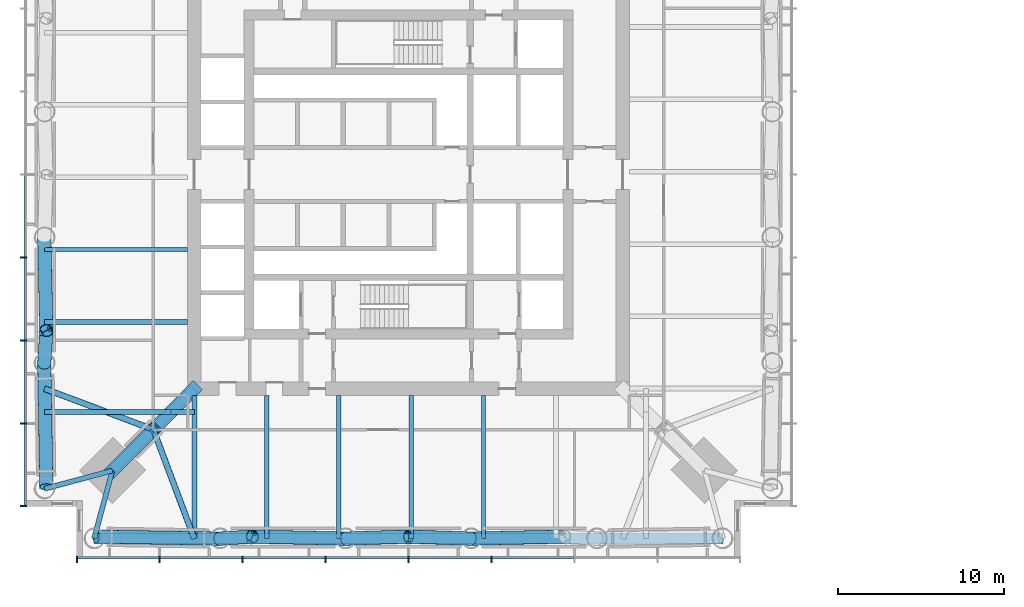
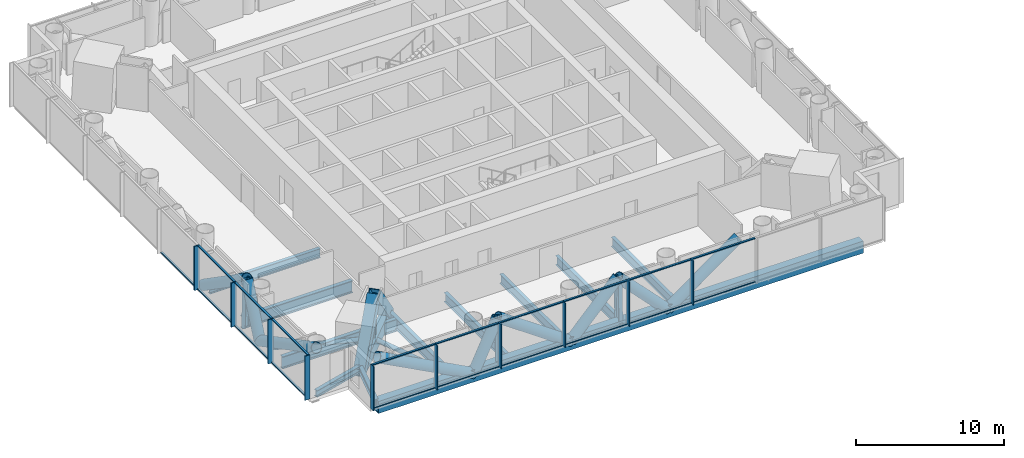
# One storey, part 2 of 18: 48 members, 11 beams, 2 elements without a shape of their own.
"""IFC4 building model written with IfcOpenShell, lengths in metres."""

from ifc_helpers import new_model, si_unit, direction, frame, origin, origin_2d, place, context, subcontext, project, spatial, rectangle, hollow_rectangle, hollow_circle, i_section, extrude, material, material_profile, profile_set, type_object, element, aggregate, save


model = new_model("IFC4")

# Units and contexts
model_context = context("Model", 3, precision=1e-05, world=origin(), true_north=direction((0.0, 1.0)))
body_context = subcontext(model_context, "Body", "Model", "MODEL_VIEW")
ifc_project = project(units=[si_unit("LENGTHUNIT", "METRE"), si_unit("AREAUNIT", "SQUARE_METRE"), si_unit("VOLUMEUNIT", "CUBIC_METRE"), si_unit("PLANEANGLEUNIT", "RADIAN"), si_unit("MASSUNIT", "GRAM", prefix="KILO")], contexts=[model_context])

# Site, building, storey
site_placement = place(None, origin())
site = spatial("IfcSite", under=ifc_project, at=site_placement, CompositionType="ELEMENT")
building_placement = place(site_placement, origin())
building = spatial("IfcBuilding", under=site, at=building_placement, Name="Ostroluk Exchange", CompositionType="ELEMENT")
storey_placement = place(building_placement, frame((0.0, 0.0, 85.60009765625)))
storey = spatial("IfcBuildingStorey", under=building, at=storey_placement, Name="L21", CompositionType="ELEMENT", Elevation=85.60009765625)

# Members
ifc_material_1 = material(Name="Steel S460", Category="steel")
ifc_material_profile_1 = material_profile(ifc_material_1, hollow_rectangle(XDim=0.60009765625, YDim=1.0, WallThickness=0.06005859375, at=origin_2d()), Name="BOX 600x1000x60")
ifc_profile_set_1 = profile_set([ifc_material_profile_1], Name="Steel S460")
member_type_1 = type_object("IfcMemberType", Name="Belt truss chord BOX 600x1000x60", PredefinedType="CHORD", material=ifc_profile_set_1)
member_1_placement = place(storey_placement, frame((26.064208984375, 24.064208984375, -0.780029296875), z_axis=(1.0, 0.0, 0.0), x_axis=(0.0, 1.0, 0.0)))
element("IfcMember", 1, at=member_1_placement, inside=storey, type_object=member_type_1, Name="Belt truss 1 south chord 2", PredefinedType="CHORD", context=body_context, shape_type="SweptSolid", body=[
    extrude(hollow_rectangle(XDim=0.60009765625, YDim=1.0, WallThickness=0.06005859375, at=origin_2d()), origin(), (0.0, 0.0, 1.0), 37.87158203125),
])
ifc_material_2 = material(Name="Steel S460", Category="steel")
ifc_material_profile_2 = material_profile(ifc_material_2, hollow_circle(Radius=0.406494140625, WallThickness=0.030029296875, at=origin_2d()), Name="CHS 813x30")
ifc_profile_set_2 = profile_set([ifc_material_profile_2], Name="Steel S460")
member_type_2 = type_object("IfcMemberType", Name="Belt truss diagonal CHS 813x30", PredefinedType="BRACE", material=ifc_profile_set_2)
member_2_placement = place(storey_placement, frame((23.064208984375, 42.212890625, -0.780029296875), z_axis=(0.017800204783, -0.822812678906, 0.568033844187), x_axis=(0.999766080921, 0.021628301837, 0.0)))
element("IfcMember", 2, at=member_2_placement, inside=storey, type_object=member_type_2, Name="Belt truss 1 west diagonal 2.6", PredefinedType="BRACE", context=body_context, shape_type="SweptSolid", body=[
    extrude(hollow_circle(Radius=0.406494140625, WallThickness=0.030029296875, at=origin_2d()), origin(), (0.0, 0.0, 1.0), 6.830322265625),
])
member_3_placement = place(storey_placement, frame((23.064208984375, 34.638671875, -0.780029296875), z_axis=(0.027976305897, 0.449643277912, 0.892769986579), x_axis=(-0.998070006554, 0.062098808504, 0.0)))
element("IfcMember", 3, at=member_3_placement, inside=storey, type_object=member_type_2, Name="Belt truss 1 west diagonal 2.7", PredefinedType="BRACE", context=body_context, shape_type="SweptSolid", body=[
    extrude(hollow_circle(Radius=0.406494140625, WallThickness=0.030029296875, at=origin_2d()), origin(), (0.0, 0.0, 1.0), 4.345947265625),
])
for number, where, z_axis, x_axis, name in (
    (4, (23.064208984375, 34.638671875, -0.780029296875), (0.014468546103, -0.886910254783, 0.461715129853), (0.999866962595, 0.016311257162, 0.0), "Belt truss 1 west diagonal 2.8"),
    (5, (33.638671875, 24.064208984375, -0.780029296875), (-0.886910254783, 0.014468546103, 0.461715129853), (-0.016311257162, -0.999866962595, 0.0), "Belt truss 1 south diagonal 2.1"),
):
    element("IfcMember", number, at=place(storey_placement, frame(where, z_axis=z_axis, x_axis=x_axis)), inside=storey, type_object=member_type_2, Name=name, PredefinedType="BRACE", context=body_context, shape_type="SweptSolid", body=[
        extrude(hollow_circle(Radius=0.406494140625, WallThickness=0.030029296875, at=origin_2d()), origin(), (0.0, 0.0, 1.0), 8.403076171875),
    ])
member_4_placement = place(storey_placement, frame((33.638671875, 24.064208984375, -0.780029296875), z_axis=(0.449643277912, 0.027976305897, 0.892769986579), x_axis=(-0.062098808504, 0.998070006554, 0.0)))
element("IfcMember", 6, at=member_4_placement, inside=storey, type_object=member_type_2, Name="Belt truss 1 south diagonal 2.2", PredefinedType="BRACE", context=body_context, shape_type="SweptSolid", body=[
    extrude(hollow_circle(Radius=0.406494140625, WallThickness=0.030029296875, at=origin_2d()), origin(), (0.0, 0.0, 1.0), 4.345947265625),
])
member_5_placement = place(storey_placement, frame((41.212890625, 24.064208984375, -0.780029296875), z_axis=(-0.822812678906, 0.017800204783, 0.568033844187), x_axis=(-0.021628301837, -0.999766080921, 0.0)))
element("IfcMember", 7, at=member_5_placement, inside=storey, type_object=member_type_2, Name="Belt truss 1 south diagonal 2.3", PredefinedType="BRACE", context=body_context, shape_type="SweptSolid", body=[
    extrude(hollow_circle(Radius=0.406494140625, WallThickness=0.030029296875, at=origin_2d()), origin(), (0.0, 0.0, 1.0), 6.830322265625),
])
for number, where, z_axis, x_axis, name in (
    (8, (41.212890625, 24.064208984375, -0.780029296875), (0.69832383229, 0.022419112202, 0.715430785376), (-0.032087645651, 0.999485058916, 0.0), "Belt truss 1 south diagonal 2.4"),
    (9, (48.787109375, 24.064208984375, -0.780029296875), (-0.69832383229, 0.022419112202, 0.715430785376), (-0.032087645651, -0.999485058916, 0.0), "Belt truss 1 south diagonal 2.5"),
):
    element("IfcMember", number, at=place(storey_placement, frame(where, z_axis=z_axis, x_axis=x_axis)), inside=storey, type_object=member_type_2, Name=name, PredefinedType="BRACE", context=body_context, shape_type="SweptSolid", body=[
        extrude(hollow_circle(Radius=0.406494140625, WallThickness=0.030029296875, at=origin_2d()), origin(), (0.0, 0.0, 1.0), 5.423095703125),
    ])
member_6_placement = place(storey_placement, frame((48.787109375, 24.064208984375, -0.780029296875), z_axis=(0.822812678906, 0.017800204783, 0.568033844187), x_axis=(-0.021628301837, 0.999766080921, 0.0)))
element("IfcMember", 10, at=member_6_placement, inside=storey, type_object=member_type_2, Name="Belt truss 1 south diagonal 2.6", PredefinedType="BRACE", context=body_context, shape_type="SweptSolid", body=[
    extrude(hollow_circle(Radius=0.406494140625, WallThickness=0.030029296875, at=origin_2d()), origin(), (0.0, 0.0, 1.0), 6.830322265625),
])
ifc_material_3 = material(Name="Steel S460", Category="steel")
ifc_material_profile_3 = material_profile(ifc_material_3, i_section(OverallWidth=0.304931640625, OverallDepth=0.6201171875, WebThickness=0.02099609375, FlangeThickness=0.0400390625, FilletRadius=0.027099609375, at=origin_2d()), Name="HEM 600")
ifc_profile_set_3 = profile_set([ifc_material_profile_3], Name="Steel S460")
member_type_3 = type_object("IfcMemberType", Name="Belt truss post HEM 600", PredefinedType="POST", material=ifc_profile_set_3)
for number, where, z_axis, x_axis, name in (
    (11, (23.064208984375, 36.5322265625, -0.780029296875), (0.031317337633, 0.015595782596, 0.999387810576), (-0.445775033553, 0.895145027055, 0.0), "Belt truss 1 west post 2.6"),
    (12, (35.5322265625, 24.064208984375, -0.780029296875), (0.015595782596, 0.031317337633, 0.999387810576), (-0.895145027055, 0.445775033553, 0.0), "Belt truss 1 south post 2.2"),
):
    element("IfcMember", number, at=place(storey_placement, frame(where, z_axis=z_axis, x_axis=x_axis)), inside=storey, type_object=member_type_3, Name=name, PredefinedType="POST", context=body_context, shape_type="SweptSolid", body=[
        extrude(i_section(OverallWidth=0.304931640625, OverallDepth=0.6201171875, WebThickness=0.02099609375, FlangeThickness=0.0400390625, FilletRadius=0.027099609375, at=origin_2d()), origin(), (0.0, 0.0, 1.0), 3.88232421875),
    ])
member_7_placement = place(storey_placement, frame((45.0, 24.064208984375, -0.780029296875), z_axis=(0.0, 0.031321146962, 0.999509372519), x_axis=(-1.0, 0.0, 0.0)))
element("IfcMember", 13, at=member_7_placement, inside=storey, type_object=member_type_3, Name="Belt truss 1 south post 2.4", PredefinedType="POST", context=body_context, shape_type="SweptSolid", body=[
    extrude(i_section(OverallWidth=0.304931640625, OverallDepth=0.6201171875, WebThickness=0.02099609375, FlangeThickness=0.0400390625, FilletRadius=0.027099609375, at=origin_2d()), origin(), (0.0, 0.0, 1.0), 3.8818359375),
])

# Beams
ifc_material_4 = material(Name="Steel S355", Category="steel")
ifc_material_profile_4 = material_profile(ifc_material_4, i_section(OverallWidth=0.300048828125, OverallDepth=0.550048828125, WebThickness=0.014892578125, FlangeThickness=0.029052734375, FilletRadius=0.027099609375, at=origin_2d()), Name="HEB 550")
ifc_profile_set_4 = profile_set([ifc_material_profile_4], Name="Steel S355")
beam_type_1 = type_object("IfcBeamType", Name="Corner edge beam HEB 550", PredefinedType="SPANDREL", material=ifc_profile_set_4)
for number, where, z_axis, x_axis, name in (
    (14, (27.164306640625, 28.164306640625, -0.55517578125), (-0.965838624319, -0.259144268261, 0.0), (0.259144268261, -0.965838624319, 0.0), "T1 west corner edge beam a"),
    (15, (27.164306640625, 28.164306640625, -0.55517578125), (-0.259144268261, -0.965838624319, 0.0), (0.965838624319, -0.259144268261, 0.0), "T1 west corner edge beam b"),
):
    element("IfcBeam", number, at=place(storey_placement, frame(where, z_axis=z_axis, x_axis=x_axis)), inside=storey, type_object=beam_type_1, Name=name, PredefinedType="SPANDREL", context=body_context, shape_type="SweptSolid", body=[
        extrude(i_section(OverallWidth=0.300048828125, OverallDepth=0.550048828125, WebThickness=0.014892578125, FlangeThickness=0.029052734375, FilletRadius=0.027099609375, at=origin_2d()), origin(), (0.0, 0.0, 1.0), 4.2451171875),
    ])
ifc_material_5 = material(Name="Steel S355", Category="steel")
ifc_material_profile_5 = material_profile(ifc_material_5, i_section(OverallWidth=0.302001953125, OverallDepth=1.008056640625, WebThickness=0.02099609375, FlangeThickness=0.0400390625, FilletRadius=0.030029296875, at=origin_2d()), Name="HEM 1000")
ifc_profile_set_5 = profile_set([ifc_material_profile_5], Name="Steel S355")
beam_type_2 = type_object("IfcBeamType", Name="Floor beam HEM 1000", PredefinedType="BEAM", material=ifc_profile_set_5)
beam_1_placement = place(storey_placement, frame((31.699951171875, 37.127685546875, -0.7841796875), z_axis=(-1.0, 0.0, 0.0), x_axis=(0.0, -1.0, 0.0)))
element("IfcBeam", 16, at=beam_1_placement, inside=storey, type_object=beam_type_2, Name="T1 west floor beam 5", PredefinedType="BEAM", context=body_context, shape_type="SweptSolid", body=[
    extrude(i_section(OverallWidth=0.302001953125, OverallDepth=1.008056640625, WebThickness=0.02099609375, FlangeThickness=0.0400390625, FilletRadius=0.030029296875, at=origin_2d()), origin(), (0.0, 0.0, 1.0), 8.6357421875),
])
beam_2_placement = place(storey_placement, frame((32.10009765625, 31.699951171875, -0.7841796875), z_axis=(-1.0, 0.0, 0.0), x_axis=(0.0, -1.0, 0.0)))
element("IfcBeam", 17, at=beam_2_placement, inside=storey, type_object=beam_type_2, Name="T1 west floor beam 6", PredefinedType="BEAM", context=body_context, shape_type="SweptSolid", body=[
    extrude(i_section(OverallWidth=0.302001953125, OverallDepth=1.008056640625, WebThickness=0.02099609375, FlangeThickness=0.0400390625, FilletRadius=0.030029296875, at=origin_2d()), origin(), (0.0, 0.0, 1.0), 1.400146484375),
])
beam_3_placement = place(storey_placement, frame((30.699951171875, 31.699951171875, -0.7841796875), z_axis=(-1.0, 0.0, 0.0), x_axis=(0.0, -1.0, 0.0)))
element("IfcBeam", 18, at=beam_3_placement, inside=storey, type_object=beam_type_2, Name="T1 west floor beam 6", PredefinedType="BEAM", context=body_context, shape_type="SweptSolid", body=[
    extrude(i_section(OverallWidth=0.302001953125, OverallDepth=1.008056640625, WebThickness=0.02099609375, FlangeThickness=0.0400390625, FilletRadius=0.030029296875, at=origin_2d()), origin(), (0.0, 0.0, 1.0), 7.6357421875),
])
ifc_material_6 = material(Name="Steel S355", Category="steel")
ifc_material_profile_6 = material_profile(ifc_material_6, i_section(OverallWidth=0.26708984375, OverallDepth=0.761962890625, WebThickness=0.014404296875, FlangeThickness=0.021484375, FilletRadius=0.01708984375, at=origin_2d()), Name="IPE 750x173")
ifc_profile_set_6 = profile_set([ifc_material_profile_6], Name="Steel S355")
beam_type_3 = type_object("IfcBeamType", Name="Floor beam IPE 750x173", PredefinedType="BEAM", material=ifc_profile_set_6)
for number, where, z_axis, x_axis, name in (
    (19, (31.699951171875, 41.482177734375, -0.6611328125), (-1.0, 0.0, 0.0), (0.0, -1.0, 0.0), "T1 west floor beam 4"),
    (20, (36.454345703125, 32.699951171875, -0.6611328125), (0.0, -1.0, 0.0), (1.0, 0.0, 0.0), "T1 south floor beam 1"),
    (21, (40.808837890625, 32.699951171875, -0.6611328125), (0.0, -1.0, 0.0), (1.0, 0.0, 0.0), "T1 south floor beam 2"),
    (22, (45.163330078125, 32.699951171875, -0.6611328125), (0.0, -1.0, 0.0), (1.0, 0.0, 0.0), "T1 south floor beam 3"),
    (23, (49.517822265625, 32.699951171875, -0.6611328125), (0.0, -1.0, 0.0), (1.0, 0.0, 0.0), "T1 south floor beam 4"),
):
    element("IfcBeam", number, at=place(storey_placement, frame(where, z_axis=z_axis, x_axis=x_axis)), inside=storey, type_object=beam_type_3, Name=name, PredefinedType="BEAM", context=body_context, shape_type="SweptSolid", body=[
        extrude(i_section(OverallWidth=0.26708984375, OverallDepth=0.761962890625, WebThickness=0.014404296875, FlangeThickness=0.021484375, FilletRadius=0.01708984375, at=origin_2d()), origin(), (0.0, 0.0, 1.0), 8.6357421875),
    ])
ifc_material_7 = material(Name="Steel S355", Category="steel")
ifc_material_profile_7 = material_profile(ifc_material_7, i_section(OverallWidth=0.300048828125, OverallDepth=0.89990234375, WebThickness=0.0185546875, FlangeThickness=0.034912109375, FilletRadius=0.030029296875, at=origin_2d()), Name="HEB 900")
ifc_profile_set_7 = profile_set([ifc_material_profile_7], Name="Steel S355")
beam_type_4 = type_object("IfcBeamType", Name="Girder HEB 900", PredefinedType="BEAM", material=ifc_profile_set_7)
beam_4_placement = place(storey_placement, frame((32.10009765625, 32.699951171875, -0.72998046875), z_axis=(0.0, -1.0, 0.0), x_axis=(1.0, 0.0, 0.0)))
element("IfcBeam", 24, at=beam_4_placement, inside=storey, type_object=beam_type_4, Name="T1 west girder", PredefinedType="BEAM", context=body_context, shape_type="SweptSolid", body=[
    extrude(i_section(OverallWidth=0.300048828125, OverallDepth=0.89990234375, WebThickness=0.0185546875, FlangeThickness=0.034912109375, FilletRadius=0.030029296875, at=origin_2d()), origin(), (0.0, 0.0, 1.0), 8.6357421875),
])

# Members
ifc_material_8 = material(Name="Steel S460", Category="steel")
ifc_material_profile_8 = material_profile(ifc_material_8, hollow_rectangle(XDim=0.60009765625, YDim=1.0, WallThickness=0.06005859375, at=origin_2d()), Name="BOX 600x1000x60")
ifc_profile_set_8 = profile_set([ifc_material_profile_8], Name="Steel S460")
member_type_4 = type_object("IfcMemberType", Name="Outrigger chord BOX 600x1000x60", PredefinedType="CHORD", material=ifc_profile_set_8)
member_8_placement = place(storey_placement, frame((32.10009765625, 33.10009765625, -0.780029296875), z_axis=(-0.707106781187, -0.707106781187, 0.0), x_axis=(0.707106781187, -0.707106781187, 0.0)))
element("IfcMember", 25, at=member_8_placement, inside=storey, type_object=member_type_4, Name="Outrigger 1 SW chord 2", PredefinedType="CHORD", context=body_context, shape_type="SweptSolid", body=[
    extrude(hollow_rectangle(XDim=0.60009765625, YDim=1.0, WallThickness=0.06005859375, at=origin_2d()), origin(), (0.0, 0.0, 1.0), 6.980224609375),
])
ifc_material_9 = material(Name="Steel S460", Category="steel")
ifc_material_profile_9 = material_profile(ifc_material_9, hollow_rectangle(XDim=0.800048828125, YDim=0.800048828125, WallThickness=0.050048828125, at=origin_2d()), Name="BOX 800x800x50")
ifc_profile_set_9 = profile_set([ifc_material_profile_9], Name="Steel S460")
member_type_5 = type_object("IfcMemberType", Name="Outrigger diagonal BOX 800x800x50", PredefinedType="BRACE", material=ifc_profile_set_9)
member_9_placement = place(storey_placement, frame((32.10009765625, 33.10009765625, -0.780029296875), z_axis=(-0.46636467632, -0.46636467632, 0.751670125362), x_axis=(0.707106781187, -0.707106781187, 0.0)))
element("IfcMember", 26, at=member_9_placement, inside=storey, type_object=member_type_5, Name="Outrigger 1 SW diagonal 2a", PredefinedType="BRACE", context=body_context, shape_type="SweptSolid", body=[
    extrude(hollow_rectangle(XDim=0.800048828125, YDim=0.800048828125, WallThickness=0.050048828125, at=origin_2d()), origin(), (0.0, 0.0, 1.0), 5.16162109375),
])
member_10_placement = place(storey_placement, frame((29.69287109375, 30.69287109375, 3.099853515625), z_axis=(-0.479218339765, -0.479218339765, -0.735322762918), x_axis=(0.707106781187, -0.707106781187, 0.0)))
element("IfcMember", 27, at=member_10_placement, inside=storey, type_object=member_type_5, Name="Outrigger 1 SW diagonal 2b", PredefinedType="BRACE", context=body_context, shape_type="SweptSolid", body=[
    extrude(hollow_rectangle(XDim=0.800048828125, YDim=0.800048828125, WallThickness=0.050048828125, at=origin_2d()), origin(), (0.0, 0.0, 1.0), 5.2763671875),
])
ifc_material_10 = material(Name="Steel S460", Category="steel")
ifc_material_profile_10 = material_profile(ifc_material_10, i_section(OverallWidth=0.306884765625, OverallDepth=0.431884765625, WebThickness=0.02099609375, FlangeThickness=0.0400390625, FilletRadius=0.027099609375, at=origin_2d()), Name="HEM 400")
ifc_profile_set_10 = profile_set([ifc_material_profile_10], Name="Steel S460")
member_type_6 = type_object("IfcMemberType", Name="Outrigger post HEM 400", PredefinedType="POST", material=ifc_profile_set_10)
member_11_placement = place(storey_placement, frame((29.632080078125, 30.632080078125, -0.780029296875), z_axis=(0.015664415706, 0.015664415706, 0.999754595969), x_axis=(-0.707106781187, 0.707106781187, 0.0)))
element("IfcMember", 28, at=member_11_placement, inside=storey, type_object=member_type_6, Name="Outrigger 1 SW post 2", PredefinedType="POST", context=body_context, shape_type="SweptSolid", body=[
    extrude(i_section(OverallWidth=0.306884765625, OverallDepth=0.431884765625, WebThickness=0.02099609375, FlangeThickness=0.0400390625, FilletRadius=0.027099609375, at=origin_2d()), origin(), (0.0, 0.0, 1.0), 3.880859375),
])
ifc_material_11 = material(Name="Steel S460", Category="steel")
ifc_material_profile_11 = material_profile(ifc_material_11, hollow_circle(Radius=0.177734375, WallThickness=0.012451171875, at=origin_2d()), Name="CHS 355.6x12.5")
ifc_profile_set_11 = profile_set([ifc_material_profile_11], Name="Steel S460")
member_type_7 = type_object("IfcMemberType", Name="Plan bracing CHS 355.6x12.5", PredefinedType="BRACE", material=ifc_profile_set_11)
for number, where, z_axis, x_axis, name in (
    (29, (29.632080078125, 30.632080078125, -0.4580078125), (-0.936091585711, 0.351756369041, 0.0), (-0.351756369041, -0.936091585711, 0.0), "Plan bracing L21 SW a"),
    (30, (29.632080078125, 30.632080078125, -0.4580078125), (0.351756369041, -0.936091585711, 0.0), (0.936091585711, 0.351756369041, 0.0), "Plan bracing L21 SW b"),
):
    element("IfcMember", number, at=place(storey_placement, frame(where, z_axis=z_axis, x_axis=x_axis)), inside=storey, type_object=member_type_7, Name=name, PredefinedType="BRACE", context=body_context, shape_type="SweptSolid", body=[
        extrude(hollow_circle(Radius=0.177734375, WallThickness=0.012451171875, at=origin_2d()), origin(), (0.0, 0.0, 1.0), 7.016357421875),
    ])

# Curtain wall, members
ifc_material_12 = material(Name="Laminated clear glass", Category="glass")
curtain_wall_type = type_object("IfcCurtainWallType", Name="Office tower plant and sky lobby facade", PredefinedType="USERDEFINED", material=ifc_material_12)
curtain_wall_1_placement = place(storey_placement, origin())
curtain_wall_1 = element("IfcCurtainWall", 31, at=curtain_wall_1_placement, inside=storey, type_object=curtain_wall_type, Name="Office tower south facade L21", ObjectType="LOUVRED CURTAIN WALL", PredefinedType="USERDEFINED")
ifc_material_13 = material(Name="Aluminium mullion", Category="aluminium")
ifc_material_profile_12 = material_profile(ifc_material_13, rectangle(XDim=0.14990234375, YDim=0.080078125, at=origin_2d()), Name="Sill transom 80 x 150")
ifc_profile_set_12 = profile_set([ifc_material_profile_12], Name="Aluminium mullion")
member_type_8 = type_object("IfcMemberType", Name="Sill transom 80 x 150", PredefinedType="USERDEFINED", material=ifc_profile_set_12)
member_12_placement = place(storey_placement, frame((25.080078125, 22.925048828125, 0.039794921875), z_axis=(1.0, 0.0, 0.0), x_axis=(0.0, 1.0, 0.0)))
member_12 = element("IfcMember", 32, at=member_12_placement, type_object=member_type_8, Name="CW-P1 transom 1.1", ObjectType="TRANSOM", PredefinedType="USERDEFINED", context=body_context, shape_type="SweptSolid", body=[
    extrude(rectangle(XDim=0.14990234375, YDim=0.080078125, at=origin_2d()), origin(), (0.0, 0.0, 1.0), 4.8798828125),
])
member_13_placement = place(storey_placement, frame((25.080078125, 22.925048828125, 3.60986328125), z_axis=(1.0, 0.0, 0.0), x_axis=(0.0, 1.0, 0.0)))
member_13 = element("IfcMember", 33, at=member_13_placement, type_object=member_type_8, Name="CW-P1 transom 1.2", ObjectType="TRANSOM", PredefinedType="USERDEFINED", context=body_context, shape_type="SweptSolid", body=[
    extrude(rectangle(XDim=0.14990234375, YDim=0.080078125, at=origin_2d()), origin(), (0.0, 0.0, 1.0), 4.8798828125),
])
member_14_placement = place(storey_placement, frame((30.0400390625, 22.925048828125, 0.039794921875), z_axis=(1.0, 0.0, 0.0), x_axis=(0.0, 1.0, 0.0)))
member_14 = element("IfcMember", 34, at=member_14_placement, type_object=member_type_8, Name="CW-P1 transom 2.1", ObjectType="TRANSOM", PredefinedType="USERDEFINED", context=body_context, shape_type="SweptSolid", body=[
    extrude(rectangle(XDim=0.14990234375, YDim=0.080078125, at=origin_2d()), origin(), (0.0, 0.0, 1.0), 4.919921875),
])
member_15_placement = place(storey_placement, frame((30.0400390625, 22.925048828125, 3.60986328125), z_axis=(1.0, 0.0, 0.0), x_axis=(0.0, 1.0, 0.0)))
member_15 = element("IfcMember", 35, at=member_15_placement, type_object=member_type_8, Name="CW-P1 transom 2.2", ObjectType="TRANSOM", PredefinedType="USERDEFINED", context=body_context, shape_type="SweptSolid", body=[
    extrude(rectangle(XDim=0.14990234375, YDim=0.080078125, at=origin_2d()), origin(), (0.0, 0.0, 1.0), 4.919921875),
])
member_16_placement = place(storey_placement, frame((35.0400390625, 22.925048828125, 0.039794921875), z_axis=(1.0, 0.0, 0.0), x_axis=(0.0, 1.0, 0.0)))
member_16 = element("IfcMember", 36, at=member_16_placement, type_object=member_type_8, Name="CW-P1 transom 3.1", ObjectType="TRANSOM", PredefinedType="USERDEFINED", context=body_context, shape_type="SweptSolid", body=[
    extrude(rectangle(XDim=0.14990234375, YDim=0.080078125, at=origin_2d()), origin(), (0.0, 0.0, 1.0), 4.919921875),
])
member_17_placement = place(storey_placement, frame((35.0400390625, 22.925048828125, 3.60986328125), z_axis=(1.0, 0.0, 0.0), x_axis=(0.0, 1.0, 0.0)))
member_17 = element("IfcMember", 37, at=member_17_placement, type_object=member_type_8, Name="CW-P1 transom 3.2", ObjectType="TRANSOM", PredefinedType="USERDEFINED", context=body_context, shape_type="SweptSolid", body=[
    extrude(rectangle(XDim=0.14990234375, YDim=0.080078125, at=origin_2d()), origin(), (0.0, 0.0, 1.0), 4.919921875),
])
member_18_placement = place(storey_placement, frame((40.0400390625, 22.925048828125, 0.039794921875), z_axis=(1.0, 0.0, 0.0), x_axis=(0.0, 1.0, 0.0)))
member_18 = element("IfcMember", 38, at=member_18_placement, type_object=member_type_8, Name="CW-P1 transom 4.1", ObjectType="TRANSOM", PredefinedType="USERDEFINED", context=body_context, shape_type="SweptSolid", body=[
    extrude(rectangle(XDim=0.14990234375, YDim=0.080078125, at=origin_2d()), origin(), (0.0, 0.0, 1.0), 4.919921875),
])
member_19_placement = place(storey_placement, frame((40.0400390625, 22.925048828125, 3.60986328125), z_axis=(1.0, 0.0, 0.0), x_axis=(0.0, 1.0, 0.0)))
member_19 = element("IfcMember", 39, at=member_19_placement, type_object=member_type_8, Name="CW-P1 transom 4.2", ObjectType="TRANSOM", PredefinedType="USERDEFINED", context=body_context, shape_type="SweptSolid", body=[
    extrude(rectangle(XDim=0.14990234375, YDim=0.080078125, at=origin_2d()), origin(), (0.0, 0.0, 1.0), 4.919921875),
])
member_20_placement = place(storey_placement, frame((45.0400390625, 22.925048828125, 0.039794921875), z_axis=(1.0, 0.0, 0.0), x_axis=(0.0, 1.0, 0.0)))
member_20 = element("IfcMember", 40, at=member_20_placement, type_object=member_type_8, Name="CW-P1 transom 5.1", ObjectType="TRANSOM", PredefinedType="USERDEFINED", context=body_context, shape_type="SweptSolid", body=[
    extrude(rectangle(XDim=0.14990234375, YDim=0.080078125, at=origin_2d()), origin(), (0.0, 0.0, 1.0), 4.919921875),
])
member_21_placement = place(storey_placement, frame((45.0400390625, 22.925048828125, 3.60986328125), z_axis=(1.0, 0.0, 0.0), x_axis=(0.0, 1.0, 0.0)))
member_21 = element("IfcMember", 41, at=member_21_placement, type_object=member_type_8, Name="CW-P1 transom 5.2", ObjectType="TRANSOM", PredefinedType="USERDEFINED", context=body_context, shape_type="SweptSolid", body=[
    extrude(rectangle(XDim=0.14990234375, YDim=0.080078125, at=origin_2d()), origin(), (0.0, 0.0, 1.0), 4.919921875),
])
member_22_placement = place(storey_placement, frame((50.0400390625, 22.925048828125, 0.039794921875), z_axis=(1.0, 0.0, 0.0), x_axis=(0.0, 1.0, 0.0)))
member_22 = element("IfcMember", 42, at=member_22_placement, type_object=member_type_8, Name="CW-P1 transom 6.1", ObjectType="TRANSOM", PredefinedType="USERDEFINED", context=body_context, shape_type="SweptSolid", body=[
    extrude(rectangle(XDim=0.14990234375, YDim=0.080078125, at=origin_2d()), origin(), (0.0, 0.0, 1.0), 4.919921875),
])
member_23_placement = place(storey_placement, frame((50.0400390625, 22.925048828125, 3.60986328125), z_axis=(1.0, 0.0, 0.0), x_axis=(0.0, 1.0, 0.0)))
member_23 = element("IfcMember", 43, at=member_23_placement, type_object=member_type_8, Name="CW-P1 transom 6.2", ObjectType="TRANSOM", PredefinedType="USERDEFINED", context=body_context, shape_type="SweptSolid", body=[
    extrude(rectangle(XDim=0.14990234375, YDim=0.080078125, at=origin_2d()), origin(), (0.0, 0.0, 1.0), 4.919921875),
])

curtain_wall_2_placement = place(storey_placement, origin())
curtain_wall_2 = element("IfcCurtainWall", 44, at=curtain_wall_2_placement, inside=storey, type_object=curtain_wall_type, Name="Office tower west facade L21", ObjectType="LOUVRED CURTAIN WALL", PredefinedType="USERDEFINED")
member_24_placement = place(storey_placement, frame((21.925048828125, 45.9599609375, 0.039794921875), z_axis=(0.0, -1.0, 0.0), x_axis=(1.0, 0.0, 0.0)))
member_24 = element("IfcMember", 45, at=member_24_placement, type_object=member_type_8, Name="CW-P1 transom 5.1", ObjectType="TRANSOM", PredefinedType="USERDEFINED", context=body_context, shape_type="SweptSolid", body=[
    extrude(rectangle(XDim=0.14990234375, YDim=0.080078125, at=origin_2d()), origin(), (0.0, 0.0, 1.0), 4.919921875),
])
member_25_placement = place(storey_placement, frame((21.925048828125, 40.9599609375, 0.039794921875), z_axis=(0.0, -1.0, 0.0), x_axis=(1.0, 0.0, 0.0)))
member_25 = element("IfcMember", 46, at=member_25_placement, type_object=member_type_8, Name="CW-P1 transom 6.1", ObjectType="TRANSOM", PredefinedType="USERDEFINED", context=body_context, shape_type="SweptSolid", body=[
    extrude(rectangle(XDim=0.14990234375, YDim=0.080078125, at=origin_2d()), origin(), (0.0, 0.0, 1.0), 4.919921875),
])
member_26_placement = place(storey_placement, frame((21.925048828125, 40.9599609375, 3.60986328125), z_axis=(0.0, -1.0, 0.0), x_axis=(1.0, 0.0, 0.0)))
member_26 = element("IfcMember", 47, at=member_26_placement, type_object=member_type_8, Name="CW-P1 transom 6.2", ObjectType="TRANSOM", PredefinedType="USERDEFINED", context=body_context, shape_type="SweptSolid", body=[
    extrude(rectangle(XDim=0.14990234375, YDim=0.080078125, at=origin_2d()), origin(), (0.0, 0.0, 1.0), 4.919921875),
])
member_27_placement = place(storey_placement, frame((21.925048828125, 35.9599609375, 0.039794921875), z_axis=(0.0, -1.0, 0.0), x_axis=(1.0, 0.0, 0.0)))
member_27 = element("IfcMember", 48, at=member_27_placement, type_object=member_type_8, Name="CW-P1 transom 7.1", ObjectType="TRANSOM", PredefinedType="USERDEFINED", context=body_context, shape_type="SweptSolid", body=[
    extrude(rectangle(XDim=0.14990234375, YDim=0.080078125, at=origin_2d()), origin(), (0.0, 0.0, 1.0), 4.919921875),
])
member_28_placement = place(storey_placement, frame((21.925048828125, 35.9599609375, 3.60986328125), z_axis=(0.0, -1.0, 0.0), x_axis=(1.0, 0.0, 0.0)))
member_28 = element("IfcMember", 49, at=member_28_placement, type_object=member_type_8, Name="CW-P1 transom 7.2", ObjectType="TRANSOM", PredefinedType="USERDEFINED", context=body_context, shape_type="SweptSolid", body=[
    extrude(rectangle(XDim=0.14990234375, YDim=0.080078125, at=origin_2d()), origin(), (0.0, 0.0, 1.0), 4.919921875),
])
member_29_placement = place(storey_placement, frame((21.925048828125, 30.9599609375, 0.039794921875), z_axis=(0.0, -1.0, 0.0), x_axis=(1.0, 0.0, 0.0)))
member_29 = element("IfcMember", 50, at=member_29_placement, type_object=member_type_8, Name="CW-P1 transom 8.1", ObjectType="TRANSOM", PredefinedType="USERDEFINED", context=body_context, shape_type="SweptSolid", body=[
    extrude(rectangle(XDim=0.14990234375, YDim=0.080078125, at=origin_2d()), origin(), (0.0, 0.0, 1.0), 4.8798828125),
])
member_30_placement = place(storey_placement, frame((21.925048828125, 30.9599609375, 3.60986328125), z_axis=(0.0, -1.0, 0.0), x_axis=(1.0, 0.0, 0.0)))
member_30 = element("IfcMember", 51, at=member_30_placement, type_object=member_type_8, Name="CW-P1 transom 8.2", ObjectType="TRANSOM", PredefinedType="USERDEFINED", context=body_context, shape_type="SweptSolid", body=[
    extrude(rectangle(XDim=0.14990234375, YDim=0.080078125, at=origin_2d()), origin(), (0.0, 0.0, 1.0), 4.8798828125),
])

# Member
ifc_material_14 = material(Name="Aluminium mullion with limestone facing", Category="masonry")
ifc_material_profile_13 = material_profile(ifc_material_14, rectangle(XDim=0.39990234375, YDim=0.080078125, at=origin_2d()), Name="Tracery mullion 80 x 400")
ifc_profile_set_13 = profile_set([ifc_material_profile_13], Name="Aluminium mullion with limestone facing")
member_type_9 = type_object("IfcMemberType", Name="Tracery mullion 80 x 400", PredefinedType="MULLION", material=ifc_profile_set_13)
member_31_placement = place(storey_placement, frame((25.0400390625, 22.800048828125, 0.0), z_axis=(0.0, 0.0, 1.0), x_axis=(0.0, 1.0, 0.0)))
member_31 = element("IfcMember", 52, at=member_31_placement, type_object=member_type_9, Name="CW-P1 mullion 1", PredefinedType="MULLION", context=body_context, shape_type="SweptSolid", body=[
    extrude(rectangle(XDim=0.39990234375, YDim=0.080078125, at=origin_2d()), origin(), (0.0, 0.0, 1.0), 3.64990234375),
])

member_32_placement = place(storey_placement, frame((30.0, 22.800048828125, 0.0), z_axis=(0.0, 0.0, 1.0), x_axis=(0.0, 1.0, 0.0)))
member_32 = element("IfcMember", 53, at=member_32_placement, type_object=member_type_9, Name="CW-P1 mullion 2", PredefinedType="MULLION", context=body_context, shape_type="SweptSolid", body=[
    extrude(rectangle(XDim=0.39990234375, YDim=0.080078125, at=origin_2d()), origin(), (0.0, 0.0, 1.0), 3.64990234375),
])

member_33_placement = place(storey_placement, frame((35.0, 22.800048828125, 0.0), z_axis=(0.0, 0.0, 1.0), x_axis=(0.0, 1.0, 0.0)))
member_33 = element("IfcMember", 54, at=member_33_placement, type_object=member_type_9, Name="CW-P1 mullion 3", PredefinedType="MULLION", context=body_context, shape_type="SweptSolid", body=[
    extrude(rectangle(XDim=0.39990234375, YDim=0.080078125, at=origin_2d()), origin(), (0.0, 0.0, 1.0), 3.64990234375),
])

member_34_placement = place(storey_placement, frame((40.0, 22.800048828125, 0.0), z_axis=(0.0, 0.0, 1.0), x_axis=(0.0, 1.0, 0.0)))
member_34 = element("IfcMember", 55, at=member_34_placement, type_object=member_type_9, Name="CW-P1 mullion 4", PredefinedType="MULLION", context=body_context, shape_type="SweptSolid", body=[
    extrude(rectangle(XDim=0.39990234375, YDim=0.080078125, at=origin_2d()), origin(), (0.0, 0.0, 1.0), 3.64990234375),
])

member_35_placement = place(storey_placement, frame((45.0, 22.800048828125, 0.0), z_axis=(0.0, 0.0, 1.0), x_axis=(0.0, 1.0, 0.0)))
member_35 = element("IfcMember", 56, at=member_35_placement, type_object=member_type_9, Name="CW-P1 mullion 5", PredefinedType="MULLION", context=body_context, shape_type="SweptSolid", body=[
    extrude(rectangle(XDim=0.39990234375, YDim=0.080078125, at=origin_2d()), origin(), (0.0, 0.0, 1.0), 3.64990234375),
])

member_36_placement = place(storey_placement, frame((50.0, 22.800048828125, 0.0), z_axis=(0.0, 0.0, 1.0), x_axis=(0.0, 1.0, 0.0)))
member_36 = element("IfcMember", 57, at=member_36_placement, type_object=member_type_9, Name="CW-P1 mullion 6", PredefinedType="MULLION", context=body_context, shape_type="SweptSolid", body=[
    extrude(rectangle(XDim=0.39990234375, YDim=0.080078125, at=origin_2d()), origin(), (0.0, 0.0, 1.0), 3.64990234375),
])

aggregate(curtain_wall_1, [member_31, member_32, member_33, member_34, member_35, member_36, member_12, member_13, member_14, member_15, member_16, member_17, member_18, member_19, member_20, member_21, member_22, member_23])

member_37_placement = place(storey_placement, frame((21.800048828125, 41.0, 0.0), z_axis=(0.0, 0.0, 1.0), x_axis=(1.0, 0.0, 0.0)))
member_37 = element("IfcMember", 58, at=member_37_placement, type_object=member_type_9, Name="CW-P1 mullion 6", PredefinedType="MULLION", context=body_context, shape_type="SweptSolid", body=[
    extrude(rectangle(XDim=0.39990234375, YDim=0.080078125, at=origin_2d()), origin(), (0.0, 0.0, 1.0), 3.64990234375),
])

member_38_placement = place(storey_placement, frame((21.800048828125, 36.0, 0.0), z_axis=(0.0, 0.0, 1.0), x_axis=(1.0, 0.0, 0.0)))
member_38 = element("IfcMember", 59, at=member_38_placement, type_object=member_type_9, Name="CW-P1 mullion 7", PredefinedType="MULLION", context=body_context, shape_type="SweptSolid", body=[
    extrude(rectangle(XDim=0.39990234375, YDim=0.080078125, at=origin_2d()), origin(), (0.0, 0.0, 1.0), 3.64990234375),
])

member_39_placement = place(storey_placement, frame((21.800048828125, 31.0, 0.0), z_axis=(0.0, 0.0, 1.0), x_axis=(1.0, 0.0, 0.0)))
member_39 = element("IfcMember", 60, at=member_39_placement, type_object=member_type_9, Name="CW-P1 mullion 8", PredefinedType="MULLION", context=body_context, shape_type="SweptSolid", body=[
    extrude(rectangle(XDim=0.39990234375, YDim=0.080078125, at=origin_2d()), origin(), (0.0, 0.0, 1.0), 3.64990234375),
])

member_40_placement = place(storey_placement, frame((21.800048828125, 26.0400390625, 0.0), z_axis=(0.0, 0.0, 1.0), x_axis=(1.0, 0.0, 0.0)))
member_40 = element("IfcMember", 61, at=member_40_placement, type_object=member_type_9, Name="CW-P1 mullion 9", PredefinedType="MULLION", context=body_context, shape_type="SweptSolid", body=[
    extrude(rectangle(XDim=0.39990234375, YDim=0.080078125, at=origin_2d()), origin(), (0.0, 0.0, 1.0), 3.64990234375),
])

aggregate(curtain_wall_2, [member_37, member_38, member_39, member_40, member_24, member_25, member_26, member_27, member_28, member_29, member_30])

save(model, "model.ifc")
